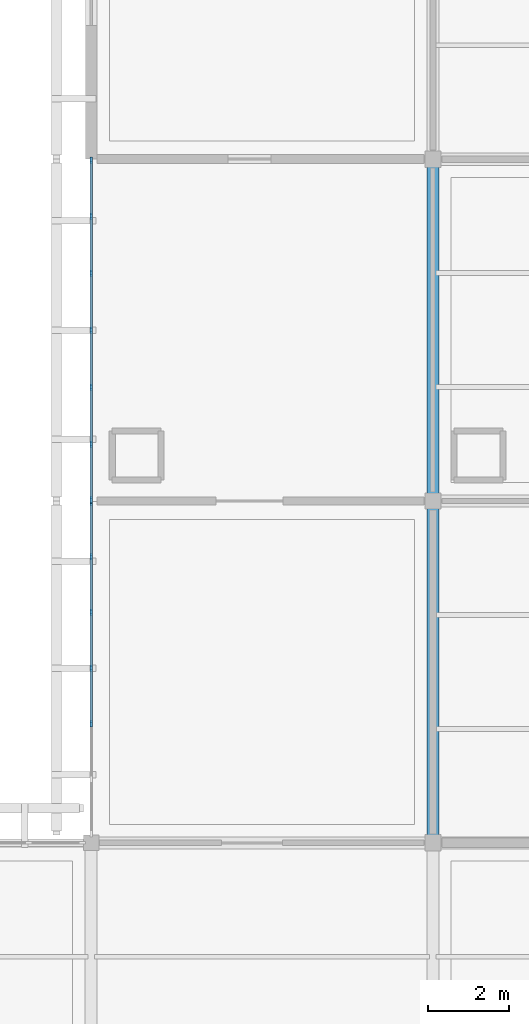
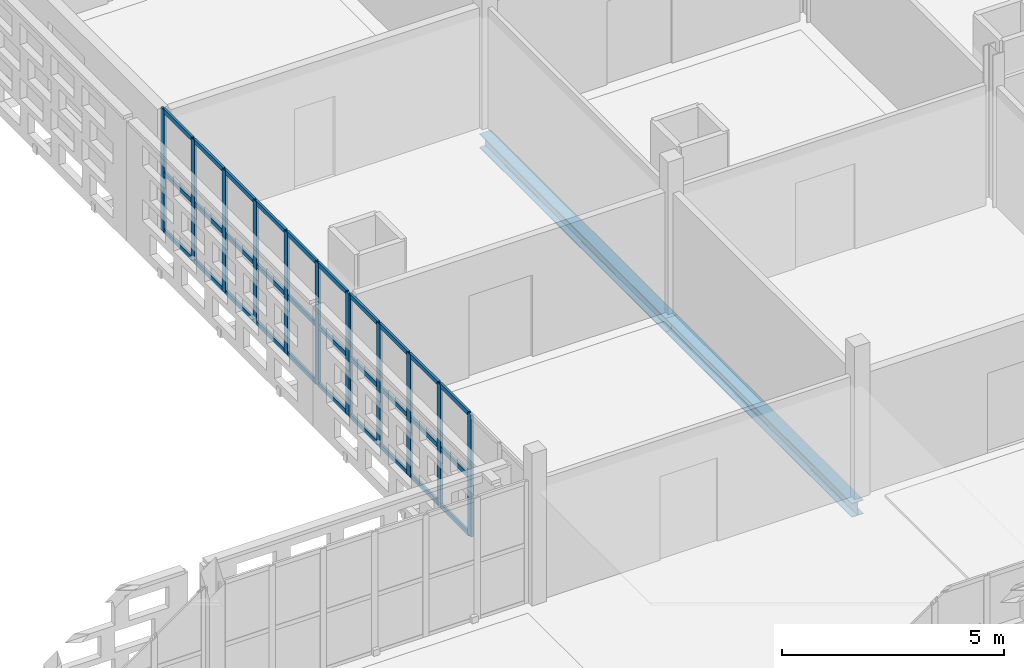
# One storey, part 52 of 166: 42 members, 2 beams, 2 elements without a shape of their own.
"""IFC4 building model written with IfcOpenShell, lengths in metres."""

from ifc_helpers import new_model, si_unit, direction, frame, origin, origin_2d, place, context, subcontext, project, spatial, rectangle, i_section, extrude, material, layer, layer_set, material_profile, profile_set, type_object, element, aggregate, save


model = new_model("IFC4")

# Units and contexts
model_context = context("Model", 3, precision=1e-05, world=origin(), true_north=direction((0.0, 1.0)))
body_context = subcontext(model_context, "Body", "Model", "MODEL_VIEW")
ifc_project = project(units=[si_unit("LENGTHUNIT", "METRE"), si_unit("AREAUNIT", "SQUARE_METRE"), si_unit("VOLUMEUNIT", "CUBIC_METRE"), si_unit("PLANEANGLEUNIT", "RADIAN"), si_unit("MASSUNIT", "GRAM", prefix="KILO")], contexts=[model_context])

# Site, building, storey
site_placement = place(None, origin())
site = spatial("IfcSite", under=ifc_project, at=site_placement, CompositionType="ELEMENT")
building_placement = place(site_placement, origin())
building = spatial("IfcBuilding", under=site, at=building_placement, Name="Varnapada Polytechnic", CompositionType="ELEMENT")
storey_placement = place(building_placement, frame((0.0, 0.0, 9.60009765625)))
storey = spatial("IfcBuildingStorey", under=building, at=storey_placement, Name="L02", CompositionType="ELEMENT", Elevation=9.60009765625)

# Curtain wall, members
ifc_material_1 = material(Name="Double low-E laminated glass", Category="glass")
ifc_layer = layer(ifc_material_1, 0.159912109375)
ifc_layer_set = layer_set([ifc_layer], Name="Double low-E laminated glass")
curtain_wall_type = type_object("IfcCurtainWallType", Name="Curtain Wall CW-02", PredefinedType="NOTDEFINED", material=ifc_layer_set)
curtain_wall_1_placement = place(storey_placement, origin())
curtain_wall_1 = element("IfcCurtainWall", 1, at=curtain_wall_1_placement, inside=storey, type_object=curtain_wall_type, Name="L02 unitised curtain wall CW-02 (176)", PredefinedType="NOTDEFINED")
ifc_material_2 = material(Name="Anodised aluminium", Category="aluminium")
ifc_material_profile_1 = material_profile(ifc_material_2, rectangle(XDim=0.06005859375, YDim=0.159912109375, at=origin_2d()), Name="ALU M60x160")
ifc_profile_set_1 = profile_set([ifc_material_profile_1], Name="Anodised aluminium")
member_type_1 = type_object("IfcMemberType", Name="Mullion M-01", PredefinedType="MULLION", material=ifc_profile_set_1)
member_1_placement = place(storey_placement, frame((117.60009765625, 95.32666015625, 0.0), z_axis=(0.0, 0.0, 1.0), x_axis=(-1.0, 0.0, 0.0)))
member_1 = element("IfcMember", 2, at=member_1_placement, type_object=member_type_1, Name="CW-02 mullion 3", PredefinedType="MULLION", context=body_context, shape_type="SweptSolid", body=[
    extrude(rectangle(XDim=0.06005859375, YDim=0.159912109375, at=origin_2d()), origin(), (0.0, 0.0, 1.0), 3.35986328125),
])
member_2_placement = place(storey_placement, frame((117.60009765625, 96.695068359375, 0.0), z_axis=(0.0, 0.0, 1.0), x_axis=(-1.0, 0.0, 0.0)))
member_2 = element("IfcMember", 3, at=member_2_placement, type_object=member_type_1, Name="CW-02 mullion 4", PredefinedType="MULLION", context=body_context, shape_type="SweptSolid", body=[
    extrude(rectangle(XDim=0.06005859375, YDim=0.159912109375, at=origin_2d()), origin(), (0.0, 0.0, 1.0), 3.35986328125),
])
member_3_placement = place(storey_placement, frame((117.60009765625, 98.063232421875, 0.0), z_axis=(0.0, 0.0, 1.0), x_axis=(-1.0, 0.0, 0.0)))
member_3 = element("IfcMember", 4, at=member_3_placement, type_object=member_type_1, Name="CW-02 mullion 5", PredefinedType="MULLION", context=body_context, shape_type="SweptSolid", body=[
    extrude(rectangle(XDim=0.06005859375, YDim=0.159912109375, at=origin_2d()), origin(), (0.0, 0.0, 1.0), 3.35986328125),
])
member_4_placement = place(storey_placement, frame((117.60009765625, 99.431640625, 0.0), z_axis=(0.0, 0.0, 1.0), x_axis=(-1.0, 0.0, 0.0)))
member_4 = element("IfcMember", 5, at=member_4_placement, type_object=member_type_1, Name="CW-02 mullion 6", PredefinedType="MULLION", context=body_context, shape_type="SweptSolid", body=[
    extrude(rectangle(XDim=0.06005859375, YDim=0.159912109375, at=origin_2d()), origin(), (0.0, 0.0, 1.0), 3.35986328125),
])
member_5_placement = place(storey_placement, frame((117.60009765625, 100.77001953125, 0.0), z_axis=(0.0, 0.0, 1.0), x_axis=(-1.0, 0.0, 0.0)))
member_5 = element("IfcMember", 6, at=member_5_placement, type_object=member_type_1, Name="CW-02 mullion 7", PredefinedType="MULLION", context=body_context, shape_type="SweptSolid", body=[
    extrude(rectangle(XDim=0.06005859375, YDim=0.159912109375, at=origin_2d()), origin(), (0.0, 0.0, 1.0), 3.35986328125),
])

curtain_wall_2_placement = place(storey_placement, origin())
curtain_wall_2 = element("IfcCurtainWall", 7, at=curtain_wall_2_placement, inside=storey, type_object=curtain_wall_type, Name="L02 unitised curtain wall CW-02 (177)", PredefinedType="NOTDEFINED")
member_6_placement = place(storey_placement, frame((117.60009765625, 100.830078125, 0.0), z_axis=(0.0, 0.0, 1.0), x_axis=(-1.0, 0.0, 0.0)))
member_6 = element("IfcMember", 8, at=member_6_placement, type_object=member_type_1, Name="CW-02 mullion 1", PredefinedType="MULLION", context=body_context, shape_type="SweptSolid", body=[
    extrude(rectangle(XDim=0.06005859375, YDim=0.159912109375, at=origin_2d()), origin(), (0.0, 0.0, 1.0), 3.35986328125),
])
member_7_placement = place(storey_placement, frame((117.60009765625, 102.199951171875, 0.0), z_axis=(0.0, 0.0, 1.0), x_axis=(-1.0, 0.0, 0.0)))
member_7 = element("IfcMember", 9, at=member_7_placement, type_object=member_type_1, Name="CW-02 mullion 2", PredefinedType="MULLION", context=body_context, shape_type="SweptSolid", body=[
    extrude(rectangle(XDim=0.06005859375, YDim=0.159912109375, at=origin_2d()), origin(), (0.0, 0.0, 1.0), 3.35986328125),
])
member_8_placement = place(storey_placement, frame((117.60009765625, 103.60009765625, 0.0), z_axis=(0.0, 0.0, 1.0), x_axis=(-1.0, 0.0, 0.0)))
member_8 = element("IfcMember", 10, at=member_8_placement, type_object=member_type_1, Name="CW-02 mullion 3", PredefinedType="MULLION", context=body_context, shape_type="SweptSolid", body=[
    extrude(rectangle(XDim=0.06005859375, YDim=0.159912109375, at=origin_2d()), origin(), (0.0, 0.0, 1.0), 3.35986328125),
])
member_9_placement = place(storey_placement, frame((117.60009765625, 105.0, 0.0), z_axis=(0.0, 0.0, 1.0), x_axis=(-1.0, 0.0, 0.0)))
member_9 = element("IfcMember", 11, at=member_9_placement, type_object=member_type_1, Name="CW-02 mullion 4", PredefinedType="MULLION", context=body_context, shape_type="SweptSolid", body=[
    extrude(rectangle(XDim=0.06005859375, YDim=0.159912109375, at=origin_2d()), origin(), (0.0, 0.0, 1.0), 3.35986328125),
])
member_10_placement = place(storey_placement, frame((117.60009765625, 106.39990234375, 0.0), z_axis=(0.0, 0.0, 1.0), x_axis=(-1.0, 0.0, 0.0)))
member_10 = element("IfcMember", 12, at=member_10_placement, type_object=member_type_1, Name="CW-02 mullion 5", PredefinedType="MULLION", context=body_context, shape_type="SweptSolid", body=[
    extrude(rectangle(XDim=0.06005859375, YDim=0.159912109375, at=origin_2d()), origin(), (0.0, 0.0, 1.0), 3.35986328125),
])
member_11_placement = place(storey_placement, frame((117.60009765625, 107.800048828125, 0.0), z_axis=(0.0, 0.0, 1.0), x_axis=(-1.0, 0.0, 0.0)))
member_11 = element("IfcMember", 13, at=member_11_placement, type_object=member_type_1, Name="CW-02 mullion 6", PredefinedType="MULLION", context=body_context, shape_type="SweptSolid", body=[
    extrude(rectangle(XDim=0.06005859375, YDim=0.159912109375, at=origin_2d()), origin(), (0.0, 0.0, 1.0), 3.35986328125),
])
member_12_placement = place(storey_placement, frame((117.60009765625, 109.169921875, 0.0), z_axis=(0.0, 0.0, 1.0), x_axis=(-1.0, 0.0, 0.0)))
member_12 = element("IfcMember", 14, at=member_12_placement, type_object=member_type_1, Name="CW-02 mullion 7", PredefinedType="MULLION", context=body_context, shape_type="SweptSolid", body=[
    extrude(rectangle(XDim=0.06005859375, YDim=0.159912109375, at=origin_2d()), origin(), (0.0, 0.0, 1.0), 3.35986328125),
])

# Beams
ifc_material_3 = material(Name="Steel S355", Category="steel")
ifc_material_profile_2 = material_profile(ifc_material_3, i_section(OverallWidth=0.300048828125, OverallDepth=0.389892578125, WebThickness=0.010986328125, FlangeThickness=0.01904296875, FilletRadius=0.027099609375, at=origin_2d()), Name="HEA 400")
ifc_profile_set_2 = profile_set([ifc_material_profile_2], Name="Steel S355")
beam_type = type_object("IfcBeamType", Name="Steel roof primary girder SG-01 (HEA 400)", PredefinedType="BEAM", material=ifc_profile_set_2)
beam_1_placement = place(storey_placement, frame((126.0, 92.39990234375, -0.43505859375), z_axis=(0.0, 1.0, 0.0), x_axis=(-1.0, 0.0, 0.0)))
element("IfcBeam", 15, at=beam_1_placement, inside=storey, type_object=beam_type, Name="L02 beam Y 12-13 at X16", PredefinedType="BEAM", context=body_context, shape_type="SweptSolid", body=[
    extrude(i_section(OverallWidth=0.300048828125, OverallDepth=0.389892578125, WebThickness=0.010986328125, FlangeThickness=0.01904296875, FilletRadius=0.027099609375, at=origin_2d()), origin(), (0.0, 0.0, 1.0), 8.400146484375),
])
beam_2_placement = place(storey_placement, frame((126.0, 100.800048828125, -0.43505859375), z_axis=(0.0, 1.0, 0.0), x_axis=(-1.0, 0.0, 0.0)))
element("IfcBeam", 16, at=beam_2_placement, inside=storey, type_object=beam_type, Name="L02 beam Y 13-14 at X16", PredefinedType="BEAM", context=body_context, shape_type="SweptSolid", body=[
    extrude(i_section(OverallWidth=0.300048828125, OverallDepth=0.389892578125, WebThickness=0.010986328125, FlangeThickness=0.01904296875, FilletRadius=0.027099609375, at=origin_2d()), origin(), (0.0, 0.0, 1.0), 8.39990234375),
])

# Member
ifc_material_profile_3 = material_profile(ifc_material_2, rectangle(XDim=0.06005859375, YDim=0.1201171875, at=origin_2d()), Name="ALU T60x120")
ifc_profile_set_3 = profile_set([ifc_material_profile_3], Name="Anodised aluminium")
member_type_2 = type_object("IfcMemberType", Name="Transom T-01", PredefinedType="USERDEFINED", material=ifc_profile_set_3)
member_13_placement = place(storey_placement, frame((117.60009765625, 95.356689453125, 0.02978515625), z_axis=(0.0, 1.0, 0.0), x_axis=(-1.0, 0.0, 0.0)))
member_13 = element("IfcMember", 17, at=member_13_placement, type_object=member_type_2, Name="CW-02 transom 3.1", ObjectType="TRANSOM", PredefinedType="USERDEFINED", context=body_context, shape_type="SweptSolid", body=[
    extrude(rectangle(XDim=0.06005859375, YDim=0.1201171875, at=origin_2d()), origin(), (0.0, 0.0, 1.0), 1.308349609375),
])

member_14_placement = place(storey_placement, frame((117.60009765625, 95.356689453125, 1.61279296875), z_axis=(0.0, 1.0, 0.0), x_axis=(-1.0, 0.0, 0.0)))
member_14 = element("IfcMember", 18, at=member_14_placement, type_object=member_type_2, Name="CW-02 transom 3.2", ObjectType="TRANSOM", PredefinedType="USERDEFINED", context=body_context, shape_type="SweptSolid", body=[
    extrude(rectangle(XDim=0.06005859375, YDim=0.1201171875, at=origin_2d()), origin(), (0.0, 0.0, 1.0), 1.308349609375),
])

member_15_placement = place(storey_placement, frame((117.60009765625, 95.356689453125, 3.329833984375), z_axis=(0.0, 1.0, 0.0), x_axis=(-1.0, 0.0, 0.0)))
member_15 = element("IfcMember", 19, at=member_15_placement, type_object=member_type_2, Name="CW-02 transom 3.3", ObjectType="TRANSOM", PredefinedType="USERDEFINED", context=body_context, shape_type="SweptSolid", body=[
    extrude(rectangle(XDim=0.06005859375, YDim=0.1201171875, at=origin_2d()), origin(), (0.0, 0.0, 1.0), 1.308349609375),
])

member_16_placement = place(storey_placement, frame((117.60009765625, 96.72509765625, 0.02978515625), z_axis=(0.0, 1.0, 0.0), x_axis=(-1.0, 0.0, 0.0)))
member_16 = element("IfcMember", 20, at=member_16_placement, type_object=member_type_2, Name="CW-02 transom 4.1", ObjectType="TRANSOM", PredefinedType="USERDEFINED", context=body_context, shape_type="SweptSolid", body=[
    extrude(rectangle(XDim=0.06005859375, YDim=0.1201171875, at=origin_2d()), origin(), (0.0, 0.0, 1.0), 1.308349609375),
])

member_17_placement = place(storey_placement, frame((117.60009765625, 96.72509765625, 1.61279296875), z_axis=(0.0, 1.0, 0.0), x_axis=(-1.0, 0.0, 0.0)))
member_17 = element("IfcMember", 21, at=member_17_placement, type_object=member_type_2, Name="CW-02 transom 4.2", ObjectType="TRANSOM", PredefinedType="USERDEFINED", context=body_context, shape_type="SweptSolid", body=[
    extrude(rectangle(XDim=0.06005859375, YDim=0.1201171875, at=origin_2d()), origin(), (0.0, 0.0, 1.0), 1.308349609375),
])

member_18_placement = place(storey_placement, frame((117.60009765625, 96.72509765625, 3.329833984375), z_axis=(0.0, 1.0, 0.0), x_axis=(-1.0, 0.0, 0.0)))
member_18 = element("IfcMember", 22, at=member_18_placement, type_object=member_type_2, Name="CW-02 transom 4.3", ObjectType="TRANSOM", PredefinedType="USERDEFINED", context=body_context, shape_type="SweptSolid", body=[
    extrude(rectangle(XDim=0.06005859375, YDim=0.1201171875, at=origin_2d()), origin(), (0.0, 0.0, 1.0), 1.308349609375),
])

member_19_placement = place(storey_placement, frame((117.60009765625, 98.09326171875, 0.02978515625), z_axis=(0.0, 1.0, 0.0), x_axis=(-1.0, 0.0, 0.0)))
member_19 = element("IfcMember", 23, at=member_19_placement, type_object=member_type_2, Name="CW-02 transom 5.1", ObjectType="TRANSOM", PredefinedType="USERDEFINED", context=body_context, shape_type="SweptSolid", body=[
    extrude(rectangle(XDim=0.06005859375, YDim=0.1201171875, at=origin_2d()), origin(), (0.0, 0.0, 1.0), 1.308349609375),
])

member_20_placement = place(storey_placement, frame((117.60009765625, 98.09326171875, 1.61279296875), z_axis=(0.0, 1.0, 0.0), x_axis=(-1.0, 0.0, 0.0)))
member_20 = element("IfcMember", 24, at=member_20_placement, type_object=member_type_2, Name="CW-02 transom 5.2", ObjectType="TRANSOM", PredefinedType="USERDEFINED", context=body_context, shape_type="SweptSolid", body=[
    extrude(rectangle(XDim=0.06005859375, YDim=0.1201171875, at=origin_2d()), origin(), (0.0, 0.0, 1.0), 1.308349609375),
])

member_21_placement = place(storey_placement, frame((117.60009765625, 98.09326171875, 3.329833984375), z_axis=(0.0, 1.0, 0.0), x_axis=(-1.0, 0.0, 0.0)))
member_21 = element("IfcMember", 25, at=member_21_placement, type_object=member_type_2, Name="CW-02 transom 5.3", ObjectType="TRANSOM", PredefinedType="USERDEFINED", context=body_context, shape_type="SweptSolid", body=[
    extrude(rectangle(XDim=0.06005859375, YDim=0.1201171875, at=origin_2d()), origin(), (0.0, 0.0, 1.0), 1.308349609375),
])

member_22_placement = place(storey_placement, frame((117.60009765625, 99.461669921875, 0.02978515625), z_axis=(0.0, 1.0, 0.0), x_axis=(-1.0, 0.0, 0.0)))
member_22 = element("IfcMember", 26, at=member_22_placement, type_object=member_type_2, Name="CW-02 transom 6.1", ObjectType="TRANSOM", PredefinedType="USERDEFINED", context=body_context, shape_type="SweptSolid", body=[
    extrude(rectangle(XDim=0.06005859375, YDim=0.1201171875, at=origin_2d()), origin(), (0.0, 0.0, 1.0), 1.2783203125),
])

member_23_placement = place(storey_placement, frame((117.60009765625, 99.461669921875, 1.61279296875), z_axis=(0.0, 1.0, 0.0), x_axis=(-1.0, 0.0, 0.0)))
member_23 = element("IfcMember", 27, at=member_23_placement, type_object=member_type_2, Name="CW-02 transom 6.2", ObjectType="TRANSOM", PredefinedType="USERDEFINED", context=body_context, shape_type="SweptSolid", body=[
    extrude(rectangle(XDim=0.06005859375, YDim=0.1201171875, at=origin_2d()), origin(), (0.0, 0.0, 1.0), 1.2783203125),
])

member_24_placement = place(storey_placement, frame((117.60009765625, 99.461669921875, 3.329833984375), z_axis=(0.0, 1.0, 0.0), x_axis=(-1.0, 0.0, 0.0)))
member_24 = element("IfcMember", 28, at=member_24_placement, type_object=member_type_2, Name="CW-02 transom 6.3", ObjectType="TRANSOM", PredefinedType="USERDEFINED", context=body_context, shape_type="SweptSolid", body=[
    extrude(rectangle(XDim=0.06005859375, YDim=0.1201171875, at=origin_2d()), origin(), (0.0, 0.0, 1.0), 1.2783203125),
])

aggregate(curtain_wall_1, [member_1, member_2, member_3, member_4, member_5, member_13, member_14, member_15, member_16, member_17, member_18, member_19, member_20, member_21, member_22, member_23, member_24])

member_25_placement = place(storey_placement, frame((117.60009765625, 100.860107421875, 0.02978515625), z_axis=(0.0, 1.0, 0.0), x_axis=(-1.0, 0.0, 0.0)))
member_25 = element("IfcMember", 29, at=member_25_placement, type_object=member_type_2, Name="CW-02 transom 1.1", ObjectType="TRANSOM", PredefinedType="USERDEFINED", context=body_context, shape_type="SweptSolid", body=[
    extrude(rectangle(XDim=0.06005859375, YDim=0.1201171875, at=origin_2d()), origin(), (0.0, 0.0, 1.0), 1.309814453125),
])

member_26_placement = place(storey_placement, frame((117.60009765625, 100.860107421875, 1.61279296875), z_axis=(0.0, 1.0, 0.0), x_axis=(-1.0, 0.0, 0.0)))
member_26 = element("IfcMember", 30, at=member_26_placement, type_object=member_type_2, Name="CW-02 transom 1.2", ObjectType="TRANSOM", PredefinedType="USERDEFINED", context=body_context, shape_type="SweptSolid", body=[
    extrude(rectangle(XDim=0.06005859375, YDim=0.1201171875, at=origin_2d()), origin(), (0.0, 0.0, 1.0), 1.309814453125),
])

member_27_placement = place(storey_placement, frame((117.60009765625, 100.860107421875, 3.329833984375), z_axis=(0.0, 1.0, 0.0), x_axis=(-1.0, 0.0, 0.0)))
member_27 = element("IfcMember", 31, at=member_27_placement, type_object=member_type_2, Name="CW-02 transom 1.3", ObjectType="TRANSOM", PredefinedType="USERDEFINED", context=body_context, shape_type="SweptSolid", body=[
    extrude(rectangle(XDim=0.06005859375, YDim=0.1201171875, at=origin_2d()), origin(), (0.0, 0.0, 1.0), 1.309814453125),
])

member_28_placement = place(storey_placement, frame((117.60009765625, 102.22998046875, 0.02978515625), z_axis=(0.0, 1.0, 0.0), x_axis=(-1.0, 0.0, 0.0)))
member_28 = element("IfcMember", 32, at=member_28_placement, type_object=member_type_2, Name="CW-02 transom 2.1", ObjectType="TRANSOM", PredefinedType="USERDEFINED", context=body_context, shape_type="SweptSolid", body=[
    extrude(rectangle(XDim=0.06005859375, YDim=0.1201171875, at=origin_2d()), origin(), (0.0, 0.0, 1.0), 1.340087890625),
])

member_29_placement = place(storey_placement, frame((117.60009765625, 102.22998046875, 1.61279296875), z_axis=(0.0, 1.0, 0.0), x_axis=(-1.0, 0.0, 0.0)))
member_29 = element("IfcMember", 33, at=member_29_placement, type_object=member_type_2, Name="CW-02 transom 2.2", ObjectType="TRANSOM", PredefinedType="USERDEFINED", context=body_context, shape_type="SweptSolid", body=[
    extrude(rectangle(XDim=0.06005859375, YDim=0.1201171875, at=origin_2d()), origin(), (0.0, 0.0, 1.0), 1.340087890625),
])

member_30_placement = place(storey_placement, frame((117.60009765625, 102.22998046875, 3.329833984375), z_axis=(0.0, 1.0, 0.0), x_axis=(-1.0, 0.0, 0.0)))
member_30 = element("IfcMember", 34, at=member_30_placement, type_object=member_type_2, Name="CW-02 transom 2.3", ObjectType="TRANSOM", PredefinedType="USERDEFINED", context=body_context, shape_type="SweptSolid", body=[
    extrude(rectangle(XDim=0.06005859375, YDim=0.1201171875, at=origin_2d()), origin(), (0.0, 0.0, 1.0), 1.340087890625),
])

member_31_placement = place(storey_placement, frame((117.60009765625, 103.6298828125, 0.02978515625), z_axis=(0.0, 1.0, 0.0), x_axis=(-1.0, 0.0, 0.0)))
member_31 = element("IfcMember", 35, at=member_31_placement, type_object=member_type_2, Name="CW-02 transom 3.1", ObjectType="TRANSOM", PredefinedType="USERDEFINED", context=body_context, shape_type="SweptSolid", body=[
    extrude(rectangle(XDim=0.06005859375, YDim=0.1201171875, at=origin_2d()), origin(), (0.0, 0.0, 1.0), 1.340087890625),
])

member_32_placement = place(storey_placement, frame((117.60009765625, 103.6298828125, 1.61279296875), z_axis=(0.0, 1.0, 0.0), x_axis=(-1.0, 0.0, 0.0)))
member_32 = element("IfcMember", 36, at=member_32_placement, type_object=member_type_2, Name="CW-02 transom 3.2", ObjectType="TRANSOM", PredefinedType="USERDEFINED", context=body_context, shape_type="SweptSolid", body=[
    extrude(rectangle(XDim=0.06005859375, YDim=0.1201171875, at=origin_2d()), origin(), (0.0, 0.0, 1.0), 1.340087890625),
])

member_33_placement = place(storey_placement, frame((117.60009765625, 103.6298828125, 3.329833984375), z_axis=(0.0, 1.0, 0.0), x_axis=(-1.0, 0.0, 0.0)))
member_33 = element("IfcMember", 37, at=member_33_placement, type_object=member_type_2, Name="CW-02 transom 3.3", ObjectType="TRANSOM", PredefinedType="USERDEFINED", context=body_context, shape_type="SweptSolid", body=[
    extrude(rectangle(XDim=0.06005859375, YDim=0.1201171875, at=origin_2d()), origin(), (0.0, 0.0, 1.0), 1.340087890625),
])

member_34_placement = place(storey_placement, frame((117.60009765625, 105.030029296875, 0.02978515625), z_axis=(0.0, 1.0, 0.0), x_axis=(-1.0, 0.0, 0.0)))
member_34 = element("IfcMember", 38, at=member_34_placement, type_object=member_type_2, Name="CW-02 transom 4.1", ObjectType="TRANSOM", PredefinedType="USERDEFINED", context=body_context, shape_type="SweptSolid", body=[
    extrude(rectangle(XDim=0.06005859375, YDim=0.1201171875, at=origin_2d()), origin(), (0.0, 0.0, 1.0), 1.340087890625),
])

member_35_placement = place(storey_placement, frame((117.60009765625, 105.030029296875, 1.61279296875), z_axis=(0.0, 1.0, 0.0), x_axis=(-1.0, 0.0, 0.0)))
member_35 = element("IfcMember", 39, at=member_35_placement, type_object=member_type_2, Name="CW-02 transom 4.2", ObjectType="TRANSOM", PredefinedType="USERDEFINED", context=body_context, shape_type="SweptSolid", body=[
    extrude(rectangle(XDim=0.06005859375, YDim=0.1201171875, at=origin_2d()), origin(), (0.0, 0.0, 1.0), 1.340087890625),
])

member_36_placement = place(storey_placement, frame((117.60009765625, 105.030029296875, 3.329833984375), z_axis=(0.0, 1.0, 0.0), x_axis=(-1.0, 0.0, 0.0)))
member_36 = element("IfcMember", 40, at=member_36_placement, type_object=member_type_2, Name="CW-02 transom 4.3", ObjectType="TRANSOM", PredefinedType="USERDEFINED", context=body_context, shape_type="SweptSolid", body=[
    extrude(rectangle(XDim=0.06005859375, YDim=0.1201171875, at=origin_2d()), origin(), (0.0, 0.0, 1.0), 1.340087890625),
])

member_37_placement = place(storey_placement, frame((117.60009765625, 106.429931640625, 0.02978515625), z_axis=(0.0, 1.0, 0.0), x_axis=(-1.0, 0.0, 0.0)))
member_37 = element("IfcMember", 41, at=member_37_placement, type_object=member_type_2, Name="CW-02 transom 5.1", ObjectType="TRANSOM", PredefinedType="USERDEFINED", context=body_context, shape_type="SweptSolid", body=[
    extrude(rectangle(XDim=0.06005859375, YDim=0.1201171875, at=origin_2d()), origin(), (0.0, 0.0, 1.0), 1.340087890625),
])

member_38_placement = place(storey_placement, frame((117.60009765625, 106.429931640625, 1.61279296875), z_axis=(0.0, 1.0, 0.0), x_axis=(-1.0, 0.0, 0.0)))
member_38 = element("IfcMember", 42, at=member_38_placement, type_object=member_type_2, Name="CW-02 transom 5.2", ObjectType="TRANSOM", PredefinedType="USERDEFINED", context=body_context, shape_type="SweptSolid", body=[
    extrude(rectangle(XDim=0.06005859375, YDim=0.1201171875, at=origin_2d()), origin(), (0.0, 0.0, 1.0), 1.340087890625),
])

member_39_placement = place(storey_placement, frame((117.60009765625, 106.429931640625, 3.329833984375), z_axis=(0.0, 1.0, 0.0), x_axis=(-1.0, 0.0, 0.0)))
member_39 = element("IfcMember", 43, at=member_39_placement, type_object=member_type_2, Name="CW-02 transom 5.3", ObjectType="TRANSOM", PredefinedType="USERDEFINED", context=body_context, shape_type="SweptSolid", body=[
    extrude(rectangle(XDim=0.06005859375, YDim=0.1201171875, at=origin_2d()), origin(), (0.0, 0.0, 1.0), 1.340087890625),
])

member_40_placement = place(storey_placement, frame((117.60009765625, 107.830078125, 0.02978515625), z_axis=(0.0, 1.0, 0.0), x_axis=(-1.0, 0.0, 0.0)))
member_40 = element("IfcMember", 44, at=member_40_placement, type_object=member_type_2, Name="CW-02 transom 6.1", ObjectType="TRANSOM", PredefinedType="USERDEFINED", context=body_context, shape_type="SweptSolid", body=[
    extrude(rectangle(XDim=0.06005859375, YDim=0.1201171875, at=origin_2d()), origin(), (0.0, 0.0, 1.0), 1.309814453125),
])

member_41_placement = place(storey_placement, frame((117.60009765625, 107.830078125, 1.61279296875), z_axis=(0.0, 1.0, 0.0), x_axis=(-1.0, 0.0, 0.0)))
member_41 = element("IfcMember", 45, at=member_41_placement, type_object=member_type_2, Name="CW-02 transom 6.2", ObjectType="TRANSOM", PredefinedType="USERDEFINED", context=body_context, shape_type="SweptSolid", body=[
    extrude(rectangle(XDim=0.06005859375, YDim=0.1201171875, at=origin_2d()), origin(), (0.0, 0.0, 1.0), 1.309814453125),
])

member_42_placement = place(storey_placement, frame((117.60009765625, 107.830078125, 3.329833984375), z_axis=(0.0, 1.0, 0.0), x_axis=(-1.0, 0.0, 0.0)))
member_42 = element("IfcMember", 46, at=member_42_placement, type_object=member_type_2, Name="CW-02 transom 6.3", ObjectType="TRANSOM", PredefinedType="USERDEFINED", context=body_context, shape_type="SweptSolid", body=[
    extrude(rectangle(XDim=0.06005859375, YDim=0.1201171875, at=origin_2d()), origin(), (0.0, 0.0, 1.0), 1.309814453125),
])

aggregate(curtain_wall_2, [member_6, member_7, member_8, member_9, member_10, member_11, member_12, member_25, member_26, member_27, member_28, member_29, member_30, member_31, member_32, member_33, member_34, member_35, member_36, member_37, member_38, member_39, member_40, member_41, member_42])

save(model, "model.ifc")
